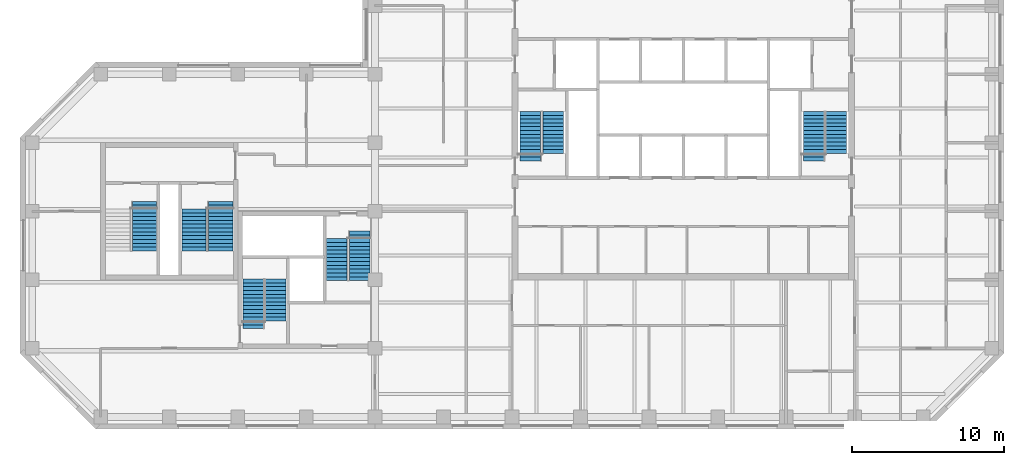
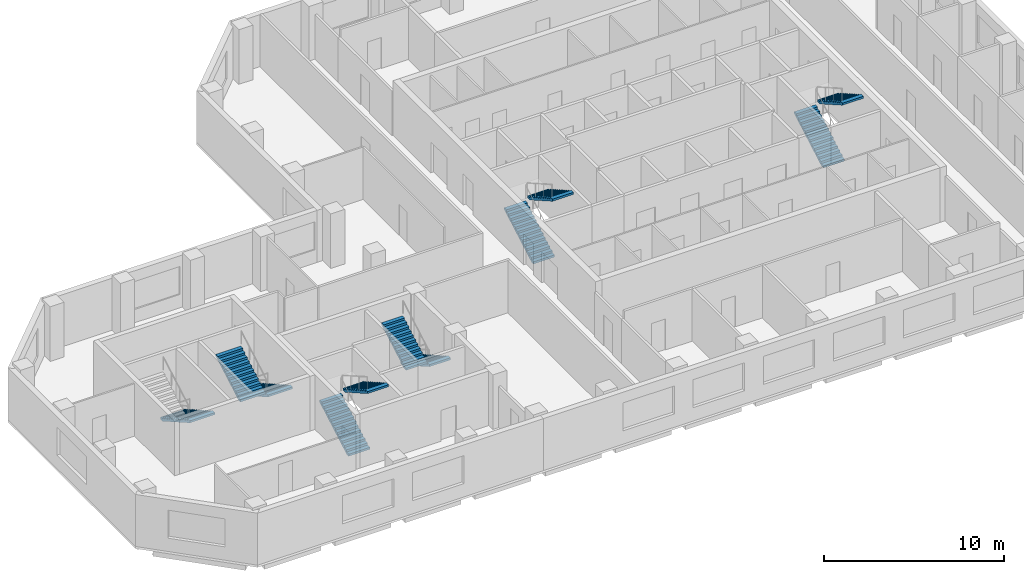
# One storey, part 8 of 9: 11 stair flights, 6 elements without a shape of their own.
"""IFC4 building model written with IfcOpenShell, lengths in metres."""

from ifc_helpers import new_model, si_unit, direction, frame, origin, place, context, subcontext, project, spatial, polyline, outline, extrude, material, type_object, element, aggregate, save


model = new_model("IFC4")

# Units and contexts
model_context = context("Model", 3, precision=1e-05, world=origin(), true_north=direction((0.0, 1.0)))
body_context = subcontext(model_context, "Body", "Model", "MODEL_VIEW")
ifc_project = project(units=[si_unit("LENGTHUNIT", "METRE"), si_unit("AREAUNIT", "SQUARE_METRE"), si_unit("VOLUMEUNIT", "CUBIC_METRE"), si_unit("PLANEANGLEUNIT", "RADIAN"), si_unit("MASSUNIT", "GRAM", prefix="KILO")], contexts=[model_context])

# Site, building, storey
site_placement = place(None, origin())
site = spatial("IfcSite", under=ifc_project, at=site_placement, CompositionType="ELEMENT")
building_placement = place(site_placement, origin())
building = spatial("IfcBuilding", under=site, at=building_placement, Name="Quoin Convention Tower", CompositionType="ELEMENT")
storey_placement = place(building_placement, frame((0.0, 0.0, 181.0)))
storey = spatial("IfcBuildingStorey", under=building, at=storey_placement, Name="L47", CompositionType="ELEMENT", Elevation=181.0)

# Stair, stair flights
ifc_material = material(Name="Concrete C40", Category="concrete")
stair_type_1 = type_object("IfcStairType", Name="Exit stair two-flight 1350", PredefinedType="HALF_TURN_STAIR", material=ifc_material)
stair_1_placement = place(storey_placement, origin())
stair_1 = element("IfcStair", 1, at=stair_1_placement, inside=storey, type_object=stair_type_1, Name="SD1 L47", PredefinedType="HALF_TURN_STAIR")
stair_flight_type_1 = type_object("IfcStairFlightType", Name="Stair flight 1350", PredefinedType="STRAIGHT", material=ifc_material)
stair_flight_1_placement = place(storey_placement, frame((46.199951171875, 57.300048828125, 0.0), z_axis=(0.0, 0.0, 1.0), x_axis=(0.0, 1.0, 0.0)))
stair_flight_1 = element("IfcStairFlight", 2, at=stair_flight_1_placement, type_object=stair_flight_type_1, Name="ST1 flight 1", NumberOfRisers=14, NumberOfTreads=13, PredefinedType="STRAIGHT", RiserHeight=0.142307692, TreadLength=0.25, context=body_context, shape_type="SweptSolid", body=[
    extrude(outline(polyline([(0.0, 0.0), (0.0, 0.142333984375), (0.25, 0.142333984375), (0.25, 0.28466796875), (0.5, 0.28466796875), (0.5, 0.427001953125), (0.75, 0.427001953125), (0.75, 0.5693359375), (1.0, 0.5693359375), (1.0, 0.71142578125), (1.25, 0.71142578125), (1.25, 0.853759765625), (1.5, 0.853759765625), (1.5, 0.99609375), (1.75, 0.99609375), (1.75, 1.138427734375), (2.0, 1.138427734375), (2.0, 1.28076171875), (2.25, 1.28076171875), (2.25, 1.423095703125), (2.5, 1.423095703125), (2.5, 1.5654296875), (2.75, 1.5654296875), (2.75, 1.707763671875), (3.0, 1.707763671875), (3.0, 1.85009765625), (3.25, 1.85009765625), (3.25, 1.9921875), (3.25, 1.711669921875), (0.242919921875, 0.0), (0.0, 0.0)])), frame((0.0, 0.675048828125, 0.0), z_axis=(0.0, -1.0, 0.0), x_axis=(1.0, 0.0, 0.0)), (0.0, 0.0, 1.0), 1.35009765625),
])
stair_flight_2_placement = place(storey_placement, frame((47.699951171875, 60.550048828125, 1.9921875), z_axis=(0.0, 0.0, 1.0), x_axis=(0.0, -1.0, 0.0)))
stair_flight_2 = element("IfcStairFlight", 3, at=stair_flight_2_placement, type_object=stair_flight_type_1, Name="ST1 flight 2", NumberOfRisers=12, NumberOfTreads=11, PredefinedType="STRAIGHT", RiserHeight=0.142307692, TreadLength=0.25, context=body_context, shape_type="SweptSolid", body=[
    extrude(outline(polyline([(0.0, 0.0), (0.0, 0.142333984375), (0.25, 0.142333984375), (0.25, 0.28466796875), (0.5, 0.28466796875), (0.5, 0.427001953125), (0.75, 0.427001953125), (0.75, 0.5693359375), (1.0, 0.5693359375), (1.0, 0.71142578125), (1.25, 0.71142578125), (1.25, 0.853759765625), (1.5, 0.853759765625), (1.5, 0.99609375), (1.75, 0.99609375), (1.75, 1.138427734375), (2.0, 1.138427734375), (2.0, 1.28076171875), (2.25, 1.28076171875), (2.25, 1.423095703125), (2.5, 1.423095703125), (2.5, 1.5654296875), (2.75, 1.5654296875), (2.75, 1.707763671875), (2.75, 1.42724609375), (0.242919921875, 0.0), (0.0, 0.0)])), frame((0.0, 0.675048828125, 0.0), z_axis=(0.0, -1.0, 0.0), x_axis=(1.0, 0.0, 0.0)), (0.0, 0.0, 1.0), 1.35009765625),
])
aggregate(stair_1, [stair_flight_1, stair_flight_2])

stair_2_placement = place(storey_placement, origin())
stair_2 = element("IfcStair", 4, at=stair_2_placement, inside=storey, type_object=stair_type_1, Name="SD2 L47", PredefinedType="HALF_TURN_STAIR")
stair_flight_3_placement = place(storey_placement, frame((64.800048828125, 57.300048828125, 0.0), z_axis=(0.0, 0.0, 1.0), x_axis=(0.0, 1.0, 0.0)))
stair_flight_3 = element("IfcStairFlight", 5, at=stair_flight_3_placement, type_object=stair_flight_type_1, Name="ST2 flight 1", NumberOfRisers=14, NumberOfTreads=13, PredefinedType="STRAIGHT", RiserHeight=0.142307692, TreadLength=0.25, context=body_context, shape_type="SweptSolid", body=[
    extrude(outline(polyline([(0.0, 0.0), (0.0, 0.142333984375), (0.25, 0.142333984375), (0.25, 0.28466796875), (0.5, 0.28466796875), (0.5, 0.427001953125), (0.75, 0.427001953125), (0.75, 0.5693359375), (1.0, 0.5693359375), (1.0, 0.71142578125), (1.25, 0.71142578125), (1.25, 0.853759765625), (1.5, 0.853759765625), (1.5, 0.99609375), (1.75, 0.99609375), (1.75, 1.138427734375), (2.0, 1.138427734375), (2.0, 1.28076171875), (2.25, 1.28076171875), (2.25, 1.423095703125), (2.5, 1.423095703125), (2.5, 1.5654296875), (2.75, 1.5654296875), (2.75, 1.707763671875), (3.0, 1.707763671875), (3.0, 1.85009765625), (3.25, 1.85009765625), (3.25, 1.9921875), (3.25, 1.711669921875), (0.242919921875, 0.0), (0.0, 0.0)])), frame((0.0, 0.675048828125, 0.0), z_axis=(0.0, -1.0, 0.0), x_axis=(1.0, 0.0, 0.0)), (0.0, 0.0, 1.0), 1.35009765625),
])
stair_flight_4_placement = place(storey_placement, frame((66.300048828125, 60.550048828125, 1.9921875), z_axis=(0.0, 0.0, 1.0), x_axis=(0.0, -1.0, 0.0)))
stair_flight_4 = element("IfcStairFlight", 6, at=stair_flight_4_placement, type_object=stair_flight_type_1, Name="ST2 flight 2", NumberOfRisers=12, NumberOfTreads=11, PredefinedType="STRAIGHT", RiserHeight=0.142307692, TreadLength=0.25, context=body_context, shape_type="SweptSolid", body=[
    extrude(outline(polyline([(0.0, 0.0), (0.0, 0.142333984375), (0.25, 0.142333984375), (0.25, 0.28466796875), (0.5, 0.28466796875), (0.5, 0.427001953125), (0.75, 0.427001953125), (0.75, 0.5693359375), (1.0, 0.5693359375), (1.0, 0.71142578125), (1.25, 0.71142578125), (1.25, 0.853759765625), (1.5, 0.853759765625), (1.5, 0.99609375), (1.75, 0.99609375), (1.75, 1.138427734375), (2.0, 1.138427734375), (2.0, 1.28076171875), (2.25, 1.28076171875), (2.25, 1.423095703125), (2.5, 1.423095703125), (2.5, 1.5654296875), (2.75, 1.5654296875), (2.75, 1.707763671875), (2.75, 1.42724609375), (0.242919921875, 0.0), (0.0, 0.0)])), frame((0.0, 0.675048828125, 0.0), z_axis=(0.0, -1.0, 0.0), x_axis=(1.0, 0.0, 0.0)), (0.0, 0.0, 1.0), 1.35009765625),
])
aggregate(stair_2, [stair_flight_3, stair_flight_4])

stair_3_placement = place(storey_placement, origin())
stair_3 = element("IfcStair", 7, at=stair_3_placement, inside=storey, type_object=stair_type_1, Name="SD3 L47", PredefinedType="HALF_TURN_STAIR")
stair_flight_5_placement = place(storey_placement, frame((28.0, 46.300048828125, 0.0), z_axis=(0.0, 0.0, 1.0), x_axis=(0.0, 1.0, 0.0)))
stair_flight_5 = element("IfcStairFlight", 8, at=stair_flight_5_placement, type_object=stair_flight_type_1, Name="ST3 flight 1", NumberOfRisers=14, NumberOfTreads=13, PredefinedType="STRAIGHT", RiserHeight=0.142307692, TreadLength=0.25, context=body_context, shape_type="SweptSolid", body=[
    extrude(outline(polyline([(0.0, 0.0), (0.0, 0.142333984375), (0.25, 0.142333984375), (0.25, 0.28466796875), (0.5, 0.28466796875), (0.5, 0.427001953125), (0.75, 0.427001953125), (0.75, 0.5693359375), (1.0, 0.5693359375), (1.0, 0.71142578125), (1.25, 0.71142578125), (1.25, 0.853759765625), (1.5, 0.853759765625), (1.5, 0.99609375), (1.75, 0.99609375), (1.75, 1.138427734375), (2.0, 1.138427734375), (2.0, 1.28076171875), (2.25, 1.28076171875), (2.25, 1.423095703125), (2.5, 1.423095703125), (2.5, 1.5654296875), (2.75, 1.5654296875), (2.75, 1.707763671875), (3.0, 1.707763671875), (3.0, 1.85009765625), (3.25, 1.85009765625), (3.25, 1.9921875), (3.25, 1.711669921875), (0.242919921875, 0.0), (0.0, 0.0)])), frame((0.0, 0.675048828125, 0.0), z_axis=(0.0, -1.0, 0.0), x_axis=(1.0, 0.0, 0.0)), (0.0, 0.0, 1.0), 1.35009765625),
])
stair_flight_6_placement = place(storey_placement, frame((29.5, 49.550048828125, 1.9921875), z_axis=(0.0, 0.0, 1.0), x_axis=(0.0, -1.0, 0.0)))
stair_flight_6 = element("IfcStairFlight", 9, at=stair_flight_6_placement, type_object=stair_flight_type_1, Name="ST3 flight 2", NumberOfRisers=12, NumberOfTreads=11, PredefinedType="STRAIGHT", RiserHeight=0.142307692, TreadLength=0.25, context=body_context, shape_type="SweptSolid", body=[
    extrude(outline(polyline([(0.0, 0.0), (0.0, 0.142333984375), (0.25, 0.142333984375), (0.25, 0.28466796875), (0.5, 0.28466796875), (0.5, 0.427001953125), (0.75, 0.427001953125), (0.75, 0.5693359375), (1.0, 0.5693359375), (1.0, 0.71142578125), (1.25, 0.71142578125), (1.25, 0.853759765625), (1.5, 0.853759765625), (1.5, 0.99609375), (1.75, 0.99609375), (1.75, 1.138427734375), (2.0, 1.138427734375), (2.0, 1.28076171875), (2.25, 1.28076171875), (2.25, 1.423095703125), (2.5, 1.423095703125), (2.5, 1.5654296875), (2.75, 1.5654296875), (2.75, 1.707763671875), (2.75, 1.42724609375), (0.242919921875, 0.0), (0.0, 0.0)])), frame((0.0, 0.675048828125, 0.0), z_axis=(0.0, -1.0, 0.0), x_axis=(1.0, 0.0, 0.0)), (0.0, 0.0, 1.0), 1.35009765625),
])
aggregate(stair_3, [stair_flight_5, stair_flight_6])

stair_4_placement = place(storey_placement, origin())
stair_4 = element("IfcStair", 10, at=stair_4_placement, inside=storey, type_object=stair_type_1, Name="SD4 L47", PredefinedType="HALF_TURN_STAIR")
stair_flight_7_placement = place(storey_placement, frame((35.0, 52.699951171875, 0.0), z_axis=(0.0, 0.0, 1.0), x_axis=(0.0, -1.0, 0.0)))
stair_flight_7 = element("IfcStairFlight", 11, at=stair_flight_7_placement, type_object=stair_flight_type_1, Name="ST4 flight 1", NumberOfRisers=14, NumberOfTreads=13, PredefinedType="STRAIGHT", RiserHeight=0.142307692, TreadLength=0.25, context=body_context, shape_type="SweptSolid", body=[
    extrude(outline(polyline([(0.0, 0.0), (0.0, 0.142333984375), (0.25, 0.142333984375), (0.25, 0.28466796875), (0.5, 0.28466796875), (0.5, 0.427001953125), (0.75, 0.427001953125), (0.75, 0.5693359375), (1.0, 0.5693359375), (1.0, 0.71142578125), (1.25, 0.71142578125), (1.25, 0.853759765625), (1.5, 0.853759765625), (1.5, 0.99609375), (1.75, 0.99609375), (1.75, 1.138427734375), (2.0, 1.138427734375), (2.0, 1.28076171875), (2.25, 1.28076171875), (2.25, 1.423095703125), (2.5, 1.423095703125), (2.5, 1.5654296875), (2.75, 1.5654296875), (2.75, 1.707763671875), (3.0, 1.707763671875), (3.0, 1.85009765625), (3.25, 1.85009765625), (3.25, 1.9921875), (3.25, 1.711669921875), (0.242919921875, 0.0), (0.0, 0.0)])), frame((0.0, 0.675048828125, 0.0), z_axis=(0.0, -1.0, 0.0), x_axis=(1.0, 0.0, 0.0)), (0.0, 0.0, 1.0), 1.35009765625),
])
stair_flight_8_placement = place(storey_placement, frame((33.5, 49.449951171875, 1.9921875), z_axis=(0.0, 0.0, 1.0), x_axis=(0.0, 1.0, 0.0)))
stair_flight_8 = element("IfcStairFlight", 12, at=stair_flight_8_placement, type_object=stair_flight_type_1, Name="ST4 flight 2", NumberOfRisers=12, NumberOfTreads=11, PredefinedType="STRAIGHT", RiserHeight=0.142307692, TreadLength=0.25, context=body_context, shape_type="SweptSolid", body=[
    extrude(outline(polyline([(0.0, 0.0), (0.0, 0.142333984375), (0.25, 0.142333984375), (0.25, 0.28466796875), (0.5, 0.28466796875), (0.5, 0.427001953125), (0.75, 0.427001953125), (0.75, 0.5693359375), (1.0, 0.5693359375), (1.0, 0.71142578125), (1.25, 0.71142578125), (1.25, 0.853759765625), (1.5, 0.853759765625), (1.5, 0.99609375), (1.75, 0.99609375), (1.75, 1.138427734375), (2.0, 1.138427734375), (2.0, 1.28076171875), (2.25, 1.28076171875), (2.25, 1.423095703125), (2.5, 1.423095703125), (2.5, 1.5654296875), (2.75, 1.5654296875), (2.75, 1.707763671875), (2.75, 1.42724609375), (0.242919921875, 0.0), (0.0, 0.0)])), frame((0.0, 0.675048828125, 0.0), z_axis=(0.0, -1.0, 0.0), x_axis=(1.0, 0.0, 0.0)), (0.0, 0.0, 1.0), 1.35009765625),
])
aggregate(stair_4, [stair_flight_7, stair_flight_8])

# Stair, stair flight
stair_type_2 = type_object("IfcStairType", Name="Exit stair two-flight 1600", PredefinedType="HALF_TURN_STAIR", material=ifc_material)
stair_5_placement = place(storey_placement, origin())
stair_5 = element("IfcStair", 13, at=stair_5_placement, inside=storey, type_object=stair_type_2, Name="SD11 L47", PredefinedType="HALF_TURN_STAIR")
stair_flight_type_2 = type_object("IfcStairFlightType", Name="Stair flight 1600", PredefinedType="STRAIGHT", material=ifc_material)
stair_flight_9_placement = place(storey_placement, frame((20.875, 54.64990234375, 0.0), z_axis=(0.0, 0.0, 1.0), x_axis=(0.0, -1.0, 0.0)))
stair_flight_9 = element("IfcStairFlight", 14, at=stair_flight_9_placement, type_object=stair_flight_type_2, Name="ST11 flight 1", NumberOfRisers=14, NumberOfTreads=13, PredefinedType="STRAIGHT", RiserHeight=0.142307692, TreadLength=0.25, context=body_context, shape_type="SweptSolid", body=[
    extrude(outline(polyline([(0.0, 0.0), (0.0, 0.142333984375), (0.25, 0.142333984375), (0.25, 0.28466796875), (0.5, 0.28466796875), (0.5, 0.427001953125), (0.75, 0.427001953125), (0.75, 0.5693359375), (1.0, 0.5693359375), (1.0, 0.71142578125), (1.25, 0.71142578125), (1.25, 0.853759765625), (1.5, 0.853759765625), (1.5, 0.99609375), (1.75, 0.99609375), (1.75, 1.138427734375), (2.0, 1.138427734375), (2.0, 1.28076171875), (2.25, 1.28076171875), (2.25, 1.423095703125), (2.5, 1.423095703125), (2.5, 1.5654296875), (2.75, 1.5654296875), (2.75, 1.707763671875), (3.0, 1.707763671875), (3.0, 1.85009765625), (3.25, 1.85009765625), (3.25, 1.9921875), (3.25, 1.711669921875), (0.242919921875, 0.0), (0.0, 0.0)])), frame((0.0, 0.800048828125, 0.0), z_axis=(0.0, -1.0, 0.0), x_axis=(1.0, 0.0, 0.0)), (0.0, 0.0, 1.0), 1.60009765625),
])
aggregate(stair_5, [stair_flight_9])

# Stair, stair flights
stair_6_placement = place(storey_placement, origin())
stair_6 = element("IfcStair", 15, at=stair_6_placement, inside=storey, type_object=stair_type_2, Name="SD12 L47", PredefinedType="HALF_TURN_STAIR")
stair_flight_10_placement = place(storey_placement, frame((25.875, 54.64990234375, 0.0), z_axis=(0.0, 0.0, 1.0), x_axis=(0.0, -1.0, 0.0)))
stair_flight_10 = element("IfcStairFlight", 16, at=stair_flight_10_placement, type_object=stair_flight_type_2, Name="ST12 flight 1", NumberOfRisers=14, NumberOfTreads=13, PredefinedType="STRAIGHT", RiserHeight=0.142307692, TreadLength=0.25, context=body_context, shape_type="SweptSolid", body=[
    extrude(outline(polyline([(0.0, 0.0), (0.0, 0.142333984375), (0.25, 0.142333984375), (0.25, 0.28466796875), (0.5, 0.28466796875), (0.5, 0.427001953125), (0.75, 0.427001953125), (0.75, 0.5693359375), (1.0, 0.5693359375), (1.0, 0.71142578125), (1.25, 0.71142578125), (1.25, 0.853759765625), (1.5, 0.853759765625), (1.5, 0.99609375), (1.75, 0.99609375), (1.75, 1.138427734375), (2.0, 1.138427734375), (2.0, 1.28076171875), (2.25, 1.28076171875), (2.25, 1.423095703125), (2.5, 1.423095703125), (2.5, 1.5654296875), (2.75, 1.5654296875), (2.75, 1.707763671875), (3.0, 1.707763671875), (3.0, 1.85009765625), (3.25, 1.85009765625), (3.25, 1.9921875), (3.25, 1.711669921875), (0.242919921875, 0.0), (0.0, 0.0)])), frame((0.0, 0.800048828125, 0.0), z_axis=(0.0, -1.0, 0.0), x_axis=(1.0, 0.0, 0.0)), (0.0, 0.0, 1.0), 1.60009765625),
])
stair_flight_11_placement = place(storey_placement, frame((24.125, 51.39990234375, 1.9921875), z_axis=(0.0, 0.0, 1.0), x_axis=(0.0, 1.0, 0.0)))
stair_flight_11 = element("IfcStairFlight", 17, at=stair_flight_11_placement, type_object=stair_flight_type_2, Name="ST12 flight 2", NumberOfRisers=12, NumberOfTreads=11, PredefinedType="STRAIGHT", RiserHeight=0.142307692, TreadLength=0.25, context=body_context, shape_type="SweptSolid", body=[
    extrude(outline(polyline([(0.0, 0.0), (0.0, 0.142333984375), (0.25, 0.142333984375), (0.25, 0.28466796875), (0.5, 0.28466796875), (0.5, 0.427001953125), (0.75, 0.427001953125), (0.75, 0.5693359375), (1.0, 0.5693359375), (1.0, 0.71142578125), (1.25, 0.71142578125), (1.25, 0.853759765625), (1.5, 0.853759765625), (1.5, 0.99609375), (1.75, 0.99609375), (1.75, 1.138427734375), (2.0, 1.138427734375), (2.0, 1.28076171875), (2.25, 1.28076171875), (2.25, 1.423095703125), (2.5, 1.423095703125), (2.5, 1.5654296875), (2.75, 1.5654296875), (2.75, 1.707763671875), (2.75, 1.42724609375), (0.242919921875, 0.0), (0.0, 0.0)])), frame((0.0, 0.800048828125, 0.0), z_axis=(0.0, -1.0, 0.0), x_axis=(1.0, 0.0, 0.0)), (0.0, 0.0, 1.0), 1.60009765625),
])
aggregate(stair_6, [stair_flight_10, stair_flight_11])

save(model, "model.ifc")
